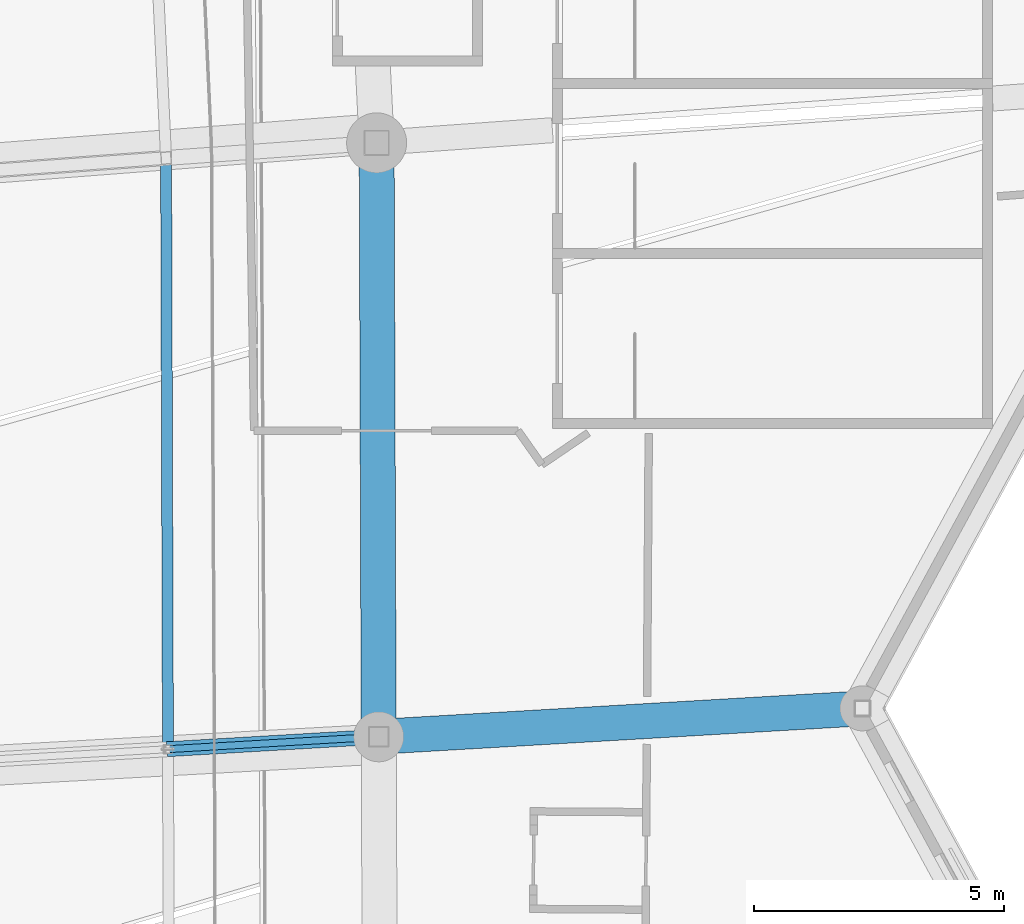
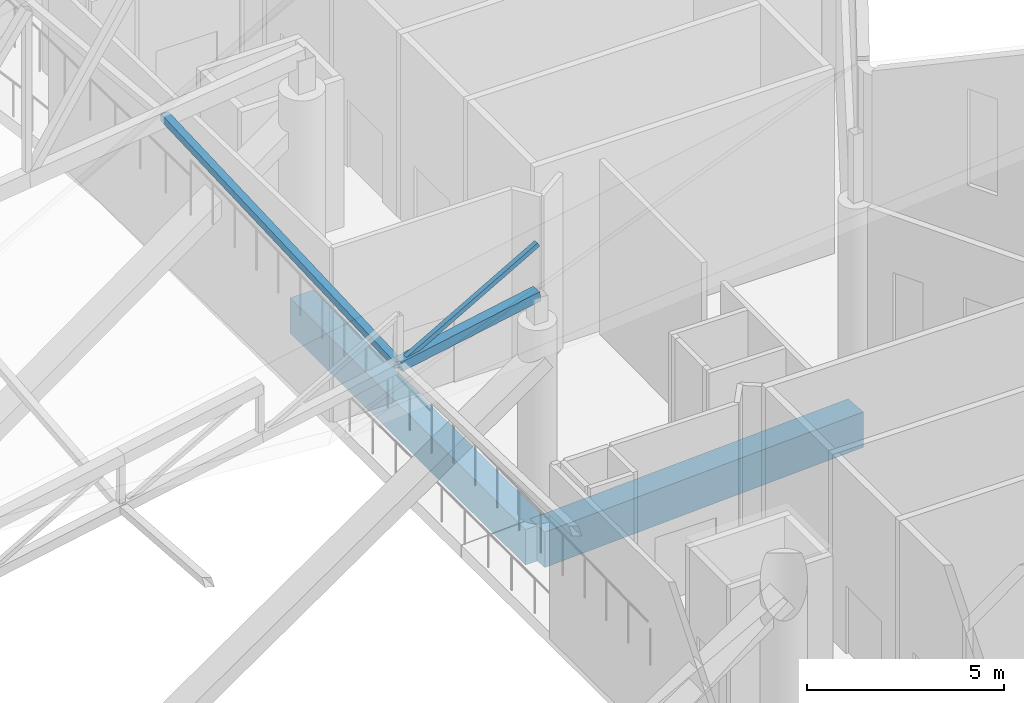
# One storey, part 180 of 344: 3 members, 2 beams.
"""IFC4 building model written with IfcOpenShell, lengths in metres."""

from ifc_helpers import new_model, si_unit, direction, frame, origin, origin_2d, place, context, subcontext, project, spatial, rectangle, hollow_rectangle, extrude, material, material_profile, profile_set, type_object, element, save


model = new_model("IFC4")

# Units and contexts
model_context = context("Model", 3, precision=1e-05, world=origin(), true_north=direction((0.0, 1.0)))
body_context = subcontext(model_context, "Body", "Model", "MODEL_VIEW")
ifc_project = project(units=[si_unit("LENGTHUNIT", "METRE"), si_unit("AREAUNIT", "SQUARE_METRE"), si_unit("VOLUMEUNIT", "CUBIC_METRE"), si_unit("PLANEANGLEUNIT", "RADIAN"), si_unit("MASSUNIT", "GRAM", prefix="KILO")], contexts=[model_context])

# Site, building, storey
site_placement = place(None, origin())
site = spatial("IfcSite", under=ifc_project, at=site_placement, CompositionType="ELEMENT")
building_placement = place(site_placement, origin())
building = spatial("IfcBuilding", under=site, at=building_placement, Name="Meseta Stadium", CompositionType="ELEMENT")
storey_placement = place(building_placement, frame((0.0, 0.0, 24.0)))
storey = spatial("IfcBuildingStorey", under=building, at=storey_placement, Name="L04", CompositionType="ELEMENT", Elevation=24.0)

# Beams
ifc_material_1 = material(Name="Concrete C40/50", Category="concrete")
ifc_material_profile_1 = material_profile(ifc_material_1, rectangle(XDim=0.699951171875, YDim=1.10009765625, at=origin_2d()), Name="RC 700x1100")
ifc_profile_set_1 = profile_set([ifc_material_profile_1], Name="Concrete C40/50")
beam_type = type_object("IfcBeamType", Name="RC beam 700x1100", PredefinedType="BEAM", material=ifc_profile_set_1)
beam_1_placement = place(storey_placement, frame((84.92529296875, 30.681640625, -0.949951171875), z_axis=(-0.003473057557, 0.999993968917, 0.0), x_axis=(-0.999993968917, -0.003473057557, 0.0)))
element("IfcBeam", 1, at=beam_1_placement, inside=storey, type_object=beam_type, Name="L04 ring beam frame 7 line P", PredefinedType="BEAM", context=body_context, shape_type="SweptSolid", body=[
    extrude(rectangle(XDim=0.699951171875, YDim=1.10009765625, at=origin_2d()), origin(), (0.0, 0.0, 1.0), 11.8798828125),
])
beam_2_placement = place(storey_placement, frame((84.92529296875, 30.681640625, -0.949951171875), z_axis=(0.998278887273, 0.058645231896, 0.0), x_axis=(-0.058645231896, 0.998278887273, 0.0)))
element("IfcBeam", 2, at=beam_2_placement, inside=storey, type_object=beam_type, Name="L04 radial beam frame 7 line P to R", PredefinedType="BEAM", context=body_context, shape_type="SweptSolid", body=[
    extrude(rectangle(XDim=0.699951171875, YDim=1.10009765625, at=origin_2d()), origin(), (0.0, 0.0, 1.0), 9.69140625),
])

# Members
ifc_material_2 = material(Name="Steel S355", Category="steel")
ifc_material_profile_2 = material_profile(ifc_material_2, hollow_rectangle(XDim=0.139892578125, YDim=0.139892578125, WallThickness=0.0048828125, at=origin_2d()), Name="SHS 140x140x5")
ifc_profile_set_2 = profile_set([ifc_material_profile_2], Name="Steel S355")
member_type_1 = type_object("IfcMemberType", Name="SHS 140x140x5 diagonal", PredefinedType="BRACE", material=ifc_profile_set_2)
member_1_placement = place(storey_placement, frame((80.71044921875, 30.43408203125, 6.22705078125), z_axis=(0.891499988097, 0.052362198096, 0.449984412435), x_axis=(-0.05863388944, 0.998279553537, 0.0)))
element("IfcMember", 3, at=member_1_placement, inside=storey, type_object=member_type_1, Name="ROOF TRUSS RT-07 diagonal", PredefinedType="BRACE", context=body_context, shape_type="SweptSolid", body=[
    extrude(hollow_rectangle(XDim=0.139892578125, YDim=0.139892578125, WallThickness=0.0048828125, at=origin_2d()), origin(), (0.0, 0.0, 1.0), 4.727783203125),
])
ifc_material_3 = material(Name="Steel S355", Category="steel")
ifc_material_profile_3 = material_profile(ifc_material_3, hollow_rectangle(XDim=0.219970703125, YDim=0.219970703125, WallThickness=0.008056640625, at=origin_2d()), Name="SHS 220x220x8")
ifc_profile_set_3 = profile_set([ifc_material_profile_3], Name="Steel S355")
member_type_2 = type_object("IfcMemberType", Name="SHS 220x220x8 strut", PredefinedType="STRUT", material=ifc_profile_set_3)
member_2_placement = place(storey_placement, frame((80.71044921875, 30.43408203125, 6.22705078125), z_axis=(-0.003196872858, 0.998929955642, 0.046138094084), x_axis=(-0.999994879088, -0.00320028093, 0.0)))
element("IfcMember", 4, at=member_2_placement, inside=storey, type_object=member_type_2, Name="ROOF TRUSS STRUT RT-07/08", PredefinedType="STRUT", context=body_context, shape_type="SweptSolid", body=[
    extrude(hollow_rectangle(XDim=0.219970703125, YDim=0.219970703125, WallThickness=0.008056640625, at=origin_2d()), origin(), (0.0, 0.0, 1.0), 11.837158203125),
])
ifc_material_4 = material(Name="Steel S355", Category="steel")
ifc_material_profile_4 = material_profile(ifc_material_4, hollow_rectangle(XDim=0.300048828125, YDim=0.300048828125, WallThickness=0.010009765625, at=origin_2d()), Name="SHS 300x300x10")
ifc_profile_set_4 = profile_set([ifc_material_profile_4], Name="Steel S355")
member_type_3 = type_object("IfcMemberType", Name="SHS 300x300x10 bottom chord", PredefinedType="CHORD", material=ifc_profile_set_4)
member_3_placement = place(storey_placement, frame((80.71044921875, 30.43408203125, 6.22705078125), z_axis=(0.989211361344, 0.058101269718, 0.134480946772), x_axis=(-0.05863388944, 0.998279553537, 0.0)))
element("IfcMember", 5, at=member_3_placement, inside=storey, type_object=member_type_3, Name="ROOF TRUSS RT-07 bottom chord", PredefinedType="CHORD", context=body_context, shape_type="SweptSolid", body=[
    extrude(hollow_rectangle(XDim=0.300048828125, YDim=0.300048828125, WallThickness=0.010009765625, at=origin_2d()), origin(), (0.0, 0.0, 1.0), 4.2607421875),
])

save(model, "model.ifc")
